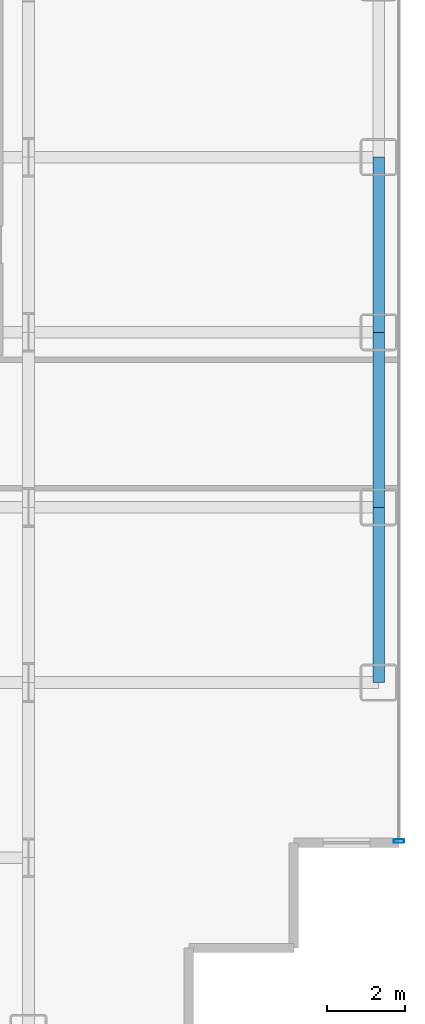
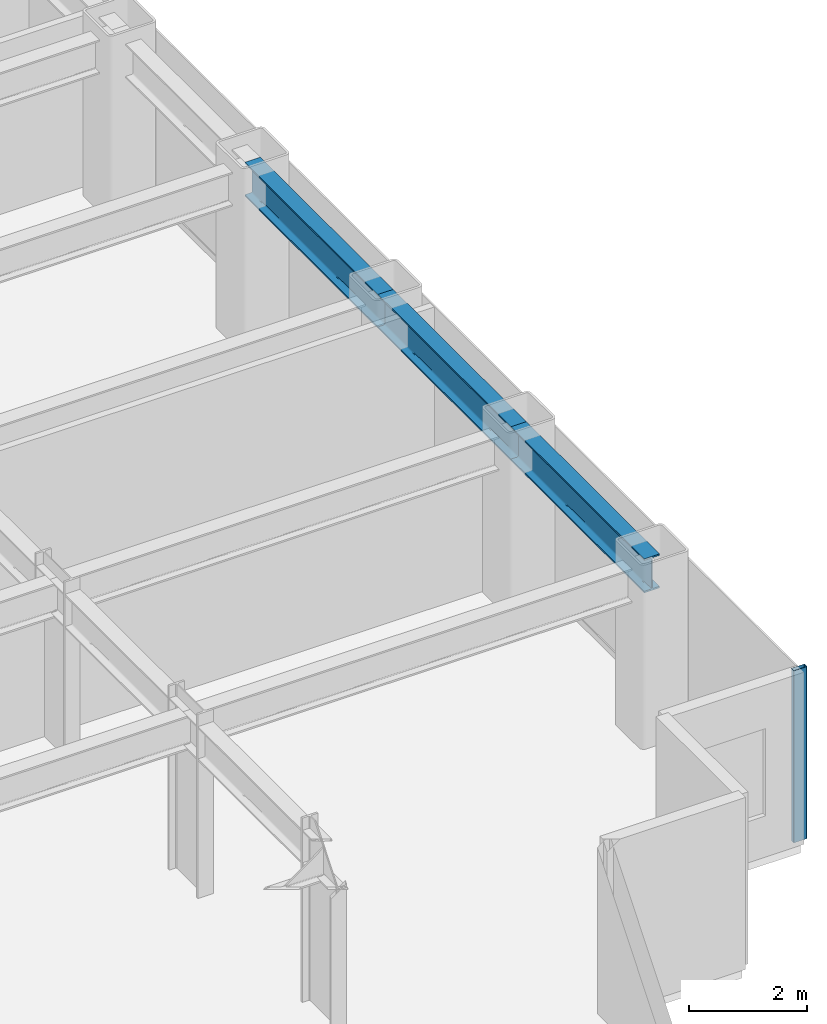
# One storey, part 16 of 26: 3 beams, 1 member, 1 element without a shape of its own.
"""IFC4 building model written with IfcOpenShell, lengths in metres."""

from ifc_helpers import new_model, si_unit, direction, frame, origin, origin_2d, place, context, subcontext, project, spatial, hollow_rectangle, i_section, extrude, source, transform, mapped, material, layer, layer_set, material_profile, profile_set, type_object, element, aggregate, save


model = new_model("IFC4")

# Units and contexts
model_context = context("Model", 3, precision=1e-05, world=origin(), true_north=direction((0.0, 1.0)))
body_context = subcontext(model_context, "Body", "Model", "MODEL_VIEW")
ifc_project = project(units=[si_unit("LENGTHUNIT", "METRE"), si_unit("AREAUNIT", "SQUARE_METRE"), si_unit("VOLUMEUNIT", "CUBIC_METRE"), si_unit("PLANEANGLEUNIT", "RADIAN"), si_unit("MASSUNIT", "GRAM", prefix="KILO")], contexts=[model_context])

# Site, building, storey
site_placement = place(None, origin())
site = spatial("IfcSite", under=ifc_project, at=site_placement, CompositionType="ELEMENT")
building_placement = place(site_placement, origin())
building = spatial("IfcBuilding", under=site, at=building_placement, Name="Nefas-Gora Pilgrimage Tower", CompositionType="ELEMENT")
storey_placement = place(building_placement, frame((0.0, 0.0, 59.60009765625)))
storey = spatial("IfcBuildingStorey", under=building, at=storey_placement, Name="L13", CompositionType="ELEMENT", Elevation=59.60009765625)

# Beams
ifc_material_1 = material(Name="Steel S355", Category="steel")
ifc_material_profile_1 = material_profile(ifc_material_1, i_section(OverallWidth=0.300048828125, OverallDepth=0.699951171875, WebThickness=0.01708984375, FlangeThickness=0.031982421875, FilletRadius=0.027099609375, at=origin_2d()), Name="HEB 700")
ifc_profile_set_1 = profile_set([ifc_material_profile_1], Name="Steel S355")
beam_type = type_object("IfcBeamType", Name="BM-SPN-HEB600", PredefinedType="SPANDREL", material=ifc_profile_set_1)
shared_shape_1 = source(origin(), body_context, "Body", "SweptSolid", [
    extrude(i_section(OverallWidth=0.300048828125, OverallDepth=0.699951171875, WebThickness=0.01708984375, FlangeThickness=0.031982421875, FilletRadius=0.027099609375, at=origin_2d()), origin(), (0.0, 0.0, 1.0), 4.5),
])
for number, where, z_axis, x_axis, name in (
    (1, (33.75, -13.5, 3.199951171875), (0.0, 1.0, 0.0), (-1.0, 0.0, 0.0), "L13 SP-01 beam"),
    (2, (33.75, -9.0, 3.199951171875), (0.0, 1.0, 0.0), (-1.0, 0.0, 0.0), "L13 SP-01 beam"),
    (3, (33.75, -4.5, 3.199951171875), (0.0, 1.0, 0.0), (-1.0, 0.0, 0.0), "L13 SP-01 beam"),
):
    element("IfcBeam", number, at=place(storey_placement, frame(where, z_axis=z_axis, x_axis=x_axis)), inside=storey, type_object=beam_type, Name=name, PredefinedType="SPANDREL", context=body_context, shape_type="MappedRepresentation", body=[
        mapped(shared_shape_1, transform((0.0, 0.0, 0.0), x_axis=(1.0, 0.0, 0.0), y_axis=(0.0, 1.0, 0.0), z_axis=(0.0, 0.0, 1.0), scale=1.0)),
    ])

# Curtain wall, member
ifc_material_2 = material(Name="Dark ceramic-fritted solar-control aluminium-glass curtain wall", Category="aluminium")
ifc_layer = layer(ifc_material_2, 0.219970703125)
ifc_layer_set = layer_set([ifc_layer], Name="Dark ceramic-fritted solar-control aluminium-glass curtain wall")
curtain_wall_type = type_object("IfcCurtainWallType", Name="CW-SYS-2", PredefinedType="NOTDEFINED", material=ifc_layer_set)
curtain_wall_placement = place(storey_placement, origin())
curtain_wall = element("IfcCurtainWall", 4, at=curtain_wall_placement, inside=storey, type_object=curtain_wall_type, Name="L13 Unitised Curtain Wall CW2", PredefinedType="NOTDEFINED")
ifc_material_3 = material(Name="Anodised architectural aluminium", Category="aluminium")
ifc_material_profile_2 = material_profile(ifc_material_3, hollow_rectangle(XDim=0.090087890625, YDim=0.260009765625, WallThickness=0.006103515625, InnerFilletRadius=0.006103515625, OuterFilletRadius=0.011962890625, at=origin_2d()), Name="ALU MULLION 90x260")
ifc_profile_set_2 = profile_set([ifc_material_profile_2], Name="Anodised architectural aluminium")
member_type = type_object("IfcMemberType", Name="CWM-MUL-2", PredefinedType="MULLION", material=ifc_profile_set_2)
shared_shape_2 = source(origin(), body_context, "Body", "SweptSolid", [
    extrude(hollow_rectangle(XDim=0.090087890625, YDim=0.260009765625, WallThickness=0.006103515625, InnerFilletRadius=0.006103515625, OuterFilletRadius=0.011962890625, at=origin_2d()), origin(), (0.0, 0.0, 1.0), 3.5498046875),
])
member_placement = place(storey_placement, frame((34.27001953125, -17.574951171875, 0.0), z_axis=(0.0, 0.0, 1.0), x_axis=(0.0, 1.0, 0.0)))
member = element("IfcMember", 5, at=member_placement, type_object=member_type, Name="CW2 Mullion 1", PredefinedType="MULLION", context=body_context, shape_type="MappedRepresentation", body=[
    mapped(shared_shape_2, transform((0.0, 0.0, 0.0), x_axis=(1.0, 0.0, 0.0), y_axis=(0.0, 1.0, 0.0), z_axis=(0.0, 0.0, 1.0), scale=1.0)),
])
aggregate(curtain_wall, [member])

save(model, "model.ifc")
